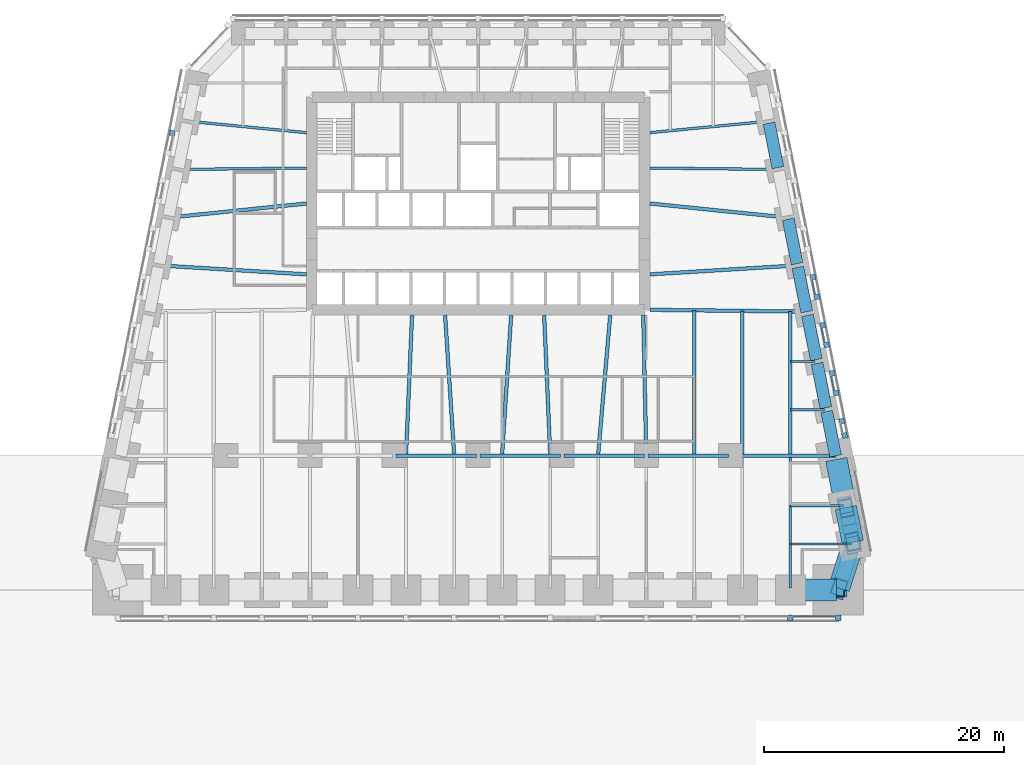
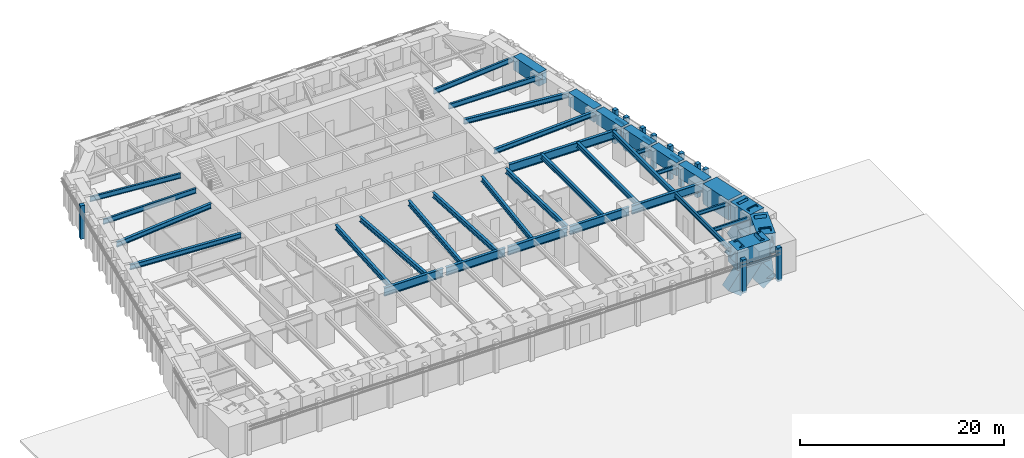
# One storey, part 3 of 18: 38 beams, 21 members, 6 elements without a shape of their own.
"""IFC4 building model written with IfcOpenShell, lengths in metres."""

import ifcopenshell
import ifcopenshell.guid

model = None  # the IFC model being written
_history = None  # IfcOwnerHistory: only IFC2X3 demands one
_inside = {}  # id of a spatial element -> (the spatial element, [elements in it])
_under = {}  # id of a project, library or spatial element -> (it, [spatial elements below it])
_declared = {}  # id of a project -> (the project, [libraries it declares])
_typed = {}  # id of a type object -> (the type object, [elements of that type])
_made_of = {}  # id of a material, layer set ... -> (it, [elements and type objects made of it])


def new_model(schema):
    """Start an empty IFC model of exactly this schema.

    Asked for "IFC4X3", IfcOpenShell would pick the latest addendum, in which some entities
    have other attributes; the version numbers below select the first issue.
    IFC2X3 requires an IfcOwnerHistory on every rooted entity: one is made here for all.
    """
    global model, _history
    if schema == "IFC4X3":
        model = ifcopenshell.file(schema_version=(4, 3, 0, 0))
    else:
        model = ifcopenshell.file(schema=schema)
    _inside.clear()
    _under.clear()
    _declared.clear()
    _typed.clear()
    _made_of.clear()
    _history = None
    if model.schema == "IFC2X3":
        org = make("IfcOrganization", Name="unknown")
        user = make(
            "IfcPersonAndOrganization",
            ThePerson=make("IfcPerson", FamilyName="unknown"),
            TheOrganization=org,
        )
        app = make(
            "IfcApplication",
            ApplicationDeveloper=org,
            Version="unknown",
            ApplicationFullName="unknown",
            ApplicationIdentifier="unknown",
        )
        _history = make(
            "IfcOwnerHistory",
            OwningUser=user,
            OwningApplication=app,
            ChangeAction="ADDED",
            CreationDate=0,
        )
    return model


def make(cls, **values):
    """One entity of the class cls with the attributes given. An attribute that is None is left unset."""
    return model.create_entity(
        cls, **{name: value for name, value in values.items() if value is not None}
    )


def rooted(cls, **values):
    """An entity with a GlobalId (a new one), such as an element, a storey or a relation."""
    return make(cls, GlobalId=ifcopenshell.guid.new(), OwnerHistory=_history, **values)


def si_unit(unit_type, name, prefix=None):
    """IfcSIUnit, for example si_unit("LENGTHUNIT", "METRE", prefix="MILLI")."""
    return make("IfcSIUnit", UnitType=unit_type, Prefix=prefix, Name=name)


def assignment(units):
    """IfcUnitAssignment: the units of a project."""
    return None if units is None else make("IfcUnitAssignment", Units=units)


def point(xyz):
    """IfcCartesianPoint."""
    return None if xyz is None else make("IfcCartesianPoint", Coordinates=xyz)


def direction(xyz):
    """IfcDirection."""
    return None if xyz is None else make("IfcDirection", DirectionRatios=xyz)


def frame(location, z_axis=None, x_axis=None):
    """IfcAxis2Placement3D, a coordinate frame: its origin and axes. An axis left out is left unset."""
    return make(
        "IfcAxis2Placement3D",
        Location=point(location),
        Axis=direction(z_axis),
        RefDirection=direction(x_axis),
    )


def frame_2d(location, x_axis=None):
    """IfcAxis2Placement2D, a coordinate frame in the plane: its origin and x axis."""
    return make(
        "IfcAxis2Placement2D", Location=point(location), RefDirection=direction(x_axis)
    )


def origin():
    """The frame at (0, 0, 0) with its axes left unset."""
    return frame((0.0, 0.0, 0.0))


def origin_2d():
    """The frame at (0, 0) in the plane with its x axis left unset."""
    return frame_2d((0.0, 0.0))


def place(relative_to, where):
    """IfcLocalPlacement: puts the frame where relative to a parent placement (None: the world)."""
    return make(
        "IfcLocalPlacement", PlacementRelTo=relative_to, RelativePlacement=where
    )


def context(
    kind, dimensions, precision=None, world=None, true_north=None, identifier=None
):
    """IfcGeometricRepresentationContext, for example the 3D "Model" context."""
    return make(
        "IfcGeometricRepresentationContext",
        ContextIdentifier=identifier,
        ContextType=kind,
        CoordinateSpaceDimension=dimensions,
        Precision=precision,
        WorldCoordinateSystem=world,
        TrueNorth=true_north,
    )


def subcontext(parent, identifier, kind, view, scale=None):
    """IfcGeometricRepresentationSubContext, for example "Body" below "Model"."""
    return make(
        "IfcGeometricRepresentationSubContext",
        ContextIdentifier=identifier,
        ContextType=kind,
        ParentContext=parent,
        TargetScale=scale,
        TargetView=view,
    )


def project(units=None, contexts=None):
    """IfcProject with its units and contexts."""
    return rooted(
        "IfcProject",
        Name="project",
        RepresentationContexts=contexts,
        UnitsInContext=assignment(units),
    )


def spatial(cls, under=None, at=None, **own):
    """A site, building, storey or space (cls), placed at a placement, below another one or the project."""
    s = rooted(cls, ObjectPlacement=at, **own)
    if under is not None:
        _under.setdefault(under.id(), (under, []))[1].append(s)
    return s


def profile(cls, at=None, kind="AREA", **sizes):
    """A parametric profile (cls). Its sizes go by their IFC names, for example OverallWidth=200.0."""
    return make(cls, ProfileType=kind, Position=at, **sizes)


def rectangle(**sizes):
    """IfcRectangleProfileDef."""
    return profile("IfcRectangleProfileDef", **sizes)


def hollow_rectangle(**sizes):
    """IfcRectangleHollowProfileDef."""
    return profile("IfcRectangleHollowProfileDef", **sizes)


def i_section(**sizes):
    """IfcIShapeProfileDef."""
    return profile("IfcIShapeProfileDef", **sizes)


def extrude(swept, where, along, depth):
    """IfcExtrudedAreaSolid: the profile swept, set in the frame where, extruded along a direction by depth."""
    return make(
        "IfcExtrudedAreaSolid",
        SweptArea=swept,
        Position=where,
        ExtrudedDirection=direction(along),
        Depth=depth,
    )


def shape(context_of_items, identifier, shape_type, items):
    """IfcShapeRepresentation: the items that make up one representation, for example the "Body"."""
    return make(
        "IfcShapeRepresentation",
        ContextOfItems=context_of_items,
        RepresentationIdentifier=identifier,
        RepresentationType=shape_type,
        Items=items,
    )


def material(Name=None, Category=None):
    """IfcMaterial."""
    return make("IfcMaterial", Name=Name, Category=Category)


def material_profile(
    of_material, cross_section, Name=None, Category=None, Priority=None
):
    """IfcMaterialProfile: a cross section and its material."""
    return make(
        "IfcMaterialProfile",
        Name=Name,
        Material=of_material,
        Profile=cross_section,
        Priority=Priority,
        Category=Category,
    )


def profile_set(profiles, Name=None, composite=None):
    """IfcMaterialProfileSet."""
    return make(
        "IfcMaterialProfileSet",
        Name=Name,
        MaterialProfiles=profiles,
        CompositeProfile=composite,
    )


def made_of(thing, what):
    """Note that an element or type object is made of a material, layer set ...; save() writes the relation."""
    if what is not None:
        _made_of.setdefault(what.id(), (what, []))[1].append(thing)
    return thing


def type_object(cls, material=None, **own):
    """A type object (cls), such as IfcWallType, which elements share."""
    return made_of(rooted(cls, **own), material)


def element(
    cls,
    number,
    at=None,
    inside=None,
    cuts=None,
    type_object=None,
    material=None,
    context=None,
    identifier="Body",
    shape_type=None,
    held_by="IfcProductDefinitionShape",
    body=None,
    shapes=None,
    **own,
):
    """One element of the class cls, such as IfcWall. Its Tag is "e" and its number.

    at: its placement. inside: the storey or other place that contains it. cuts: it is an
    opening in that element (IfcRelVoidsElement). A single representation is given by context,
    identifier, shape_type and body (its items); several are given by shapes. held_by: the class
    of the entity that holds the representations. save() writes the other relations.
    """
    e = rooted(cls, Tag="e%d" % number, ObjectPlacement=at, **own)
    if body is not None:
        shapes = [shape(context, identifier, shape_type, body)]
    if shapes is not None:
        e.Representation = make(held_by, Representations=shapes)
    if inside is not None:
        _inside.setdefault(inside.id(), (inside, []))[1].append(e)
    if cuts is not None:
        rooted(
            "IfcRelVoidsElement", RelatingBuildingElement=cuts, RelatedOpeningElement=e
        )
    if type_object is not None:
        _typed.setdefault(type_object.id(), (type_object, []))[1].append(e)
    return made_of(e, material)


def aggregate(whole, parts):
    """IfcRelAggregates: a whole, such as a stair, and the parts it consists of."""
    return rooted("IfcRelAggregates", RelatingObject=whole, RelatedObjects=parts)


def save(model, path):
    """Write the relations noted so far, then the file.

    IfcRelAggregates (storeys below a building ...), IfcRelContainedInSpatialStructure (elements
    in a storey), IfcRelDefinesByType, IfcRelAssociatesMaterial and IfcRelDeclares: one each for
    every whole, place, type object, material and project.
    """
    for whole, parts in _under.values():
        aggregate(whole, parts)
    for where, things in _inside.values():
        rooted(
            "IfcRelContainedInSpatialStructure",
            RelatedElements=things,
            RelatingStructure=where,
        )
    for kind, things in _typed.values():
        rooted("IfcRelDefinesByType", RelatedObjects=things, RelatingType=kind)
    for what, things in _made_of.values():
        rooted("IfcRelAssociatesMaterial", RelatedObjects=things, RelatingMaterial=what)
    for by, libraries in _declared.values():
        rooted("IfcRelDeclares", RelatingContext=by, RelatedDefinitions=libraries)
    model.write(path)


model = new_model("IFC4")

# Units and contexts
model_context = context("Model", 3, precision=1e-05, world=origin(), true_north=direction((0.0, 1.0)))
body_context = subcontext(model_context, "Body", "Model", "MODEL_VIEW")
ifc_project = project(units=[si_unit("LENGTHUNIT", "METRE"), si_unit("AREAUNIT", "SQUARE_METRE"), si_unit("VOLUMEUNIT", "CUBIC_METRE"), si_unit("PLANEANGLEUNIT", "RADIAN"), si_unit("MASSUNIT", "GRAM", prefix="KILO")], contexts=[model_context])

# Site, building, storey
site_placement = place(None, origin())
site = spatial("IfcSite", under=ifc_project, at=site_placement, CompositionType="ELEMENT")
building_placement = place(site_placement, origin())
building = spatial("IfcBuilding", under=site, at=building_placement, Name="Isbrekke Arena Tower", CompositionType="ELEMENT")
storey_placement = place(building_placement, frame((0.0, 0.0, 28.0)))
storey = spatial("IfcBuildingStorey", under=building, at=storey_placement, Name="L04", CompositionType="ELEMENT", Elevation=28.0)

# Beams
ifc_material_1 = material(Name="Steel S355", Category="steel")
ifc_material_profile_1 = material_profile(ifc_material_1, i_section(OverallWidth=0.219970703125, OverallDepth=0.60009765625, WebThickness=0.011962890625, FlangeThickness=0.01904296875, FilletRadius=0.02392578125, at=origin_2d()), Name="IPE 600")
ifc_profile_set_1 = profile_set([ifc_material_profile_1], Name="Steel S355")
beam_type_1 = type_object("IfcBeamType", Name="B1 IPE 600", PredefinedType="BEAM", material=ifc_profile_set_1)
beam_1_placement = place(storey_placement, frame((26.0, -17.02490234375, 3.550048828125), z_axis=(0.0, 1.0, 0.0), x_axis=(-1.0, 0.0, 0.0)))
element("IfcBeam", 1, at=beam_1_placement, inside=storey, type_object=beam_type_1, Name="B1 beam S-S15 L04", PredefinedType="BEAM", context=body_context, shape_type="SweptSolid", body=[
    extrude(i_section(OverallWidth=0.219970703125, OverallDepth=0.60009765625, WebThickness=0.011962890625, FlangeThickness=0.01904296875, FilletRadius=0.02392578125, at=origin_2d()), origin(), (0.0, 0.0, 1.0), 10.8740234375),
])
beam_2_placement = place(storey_placement, frame((24.83984375, 17.838134765625, 3.550048828125), z_axis=(-0.999943729589, 0.010608376645, 0.0), x_axis=(-0.010608376645, -0.999943729589, 0.0)))
element("IfcBeam", 2, at=beam_2_placement, inside=storey, type_object=beam_type_1, Name="B1 beam E-E09 L04", PredefinedType="BEAM", context=body_context, shape_type="SweptSolid", body=[
    extrude(i_section(OverallWidth=0.219970703125, OverallDepth=0.60009765625, WebThickness=0.011962890625, FlangeThickness=0.01904296875, FilletRadius=0.02392578125, at=origin_2d()), origin(), (0.0, 0.0, 1.0), 10.540283203125),
])
for number, where, z_axis, x_axis, name in (
    (3, (24.030517578125, 21.837158203125, 3.550048828125), (-0.995393091527, -0.095878012805, 0.0), (0.095878012805, -0.995393091527, 0.0), "B1 beam E-E10 L04"),
    (4, (-24.030517578125, 21.837158203125, 3.550048828125), (0.995393091527, -0.095878012805, 0.0), (0.095878012805, 0.995393091527, 0.0), "B1 beam E-W02 L04"),
):
    element("IfcBeam", number, at=place(storey_placement, frame(where, z_axis=z_axis, x_axis=x_axis)), inside=storey, type_object=beam_type_1, Name=name, PredefinedType="BEAM", context=body_context, shape_type="SweptSolid", body=[
        extrude(i_section(OverallWidth=0.219970703125, OverallDepth=0.60009765625, WebThickness=0.011962890625, FlangeThickness=0.01904296875, FilletRadius=0.02392578125, at=origin_2d()), origin(), (0.0, 0.0, 1.0), 9.775390625),
    ])
beam_3_placement = place(storey_placement, frame((-24.83984375, 17.838134765625, 3.550048828125), z_axis=(0.999943729589, 0.010608376645, 0.0), x_axis=(-0.010608376645, 0.999943729589, 0.0)))
element("IfcBeam", 5, at=beam_3_placement, inside=storey, type_object=beam_type_1, Name="B1 beam E-W03 L04", PredefinedType="BEAM", context=body_context, shape_type="SweptSolid", body=[
    extrude(i_section(OverallWidth=0.219970703125, OverallDepth=0.60009765625, WebThickness=0.011962890625, FlangeThickness=0.01904296875, FilletRadius=0.02392578125, at=origin_2d()), origin(), (0.0, 0.0, 1.0), 10.540283203125),
])
ifc_material_2 = material(Name="Steel S355", Category="steel")
ifc_material_profile_2 = material_profile(ifc_material_2, i_section(OverallWidth=0.18994140625, OverallDepth=0.449951171875, WebThickness=0.009521484375, FlangeThickness=0.0146484375, FilletRadius=0.02099609375, at=origin_2d()), Name="IPE 450")
ifc_profile_set_2 = profile_set([ifc_material_profile_2], Name="Steel S355")
beam_type_2 = type_object("IfcBeamType", Name="B2 IPE 450", PredefinedType="BEAM", material=ifc_profile_set_2)
beam_4_placement = place(storey_placement, frame((31.079345703125, -13.352783203125, 3.625), z_axis=(-1.0, 0.0, 0.0), x_axis=(0.0, -1.0, 0.0)))
element("IfcBeam", 6, at=beam_4_placement, inside=storey, type_object=beam_type_2, Name="B2 beam E-E01 L04", PredefinedType="BEAM", context=body_context, shape_type="SweptSolid", body=[
    extrude(i_section(OverallWidth=0.18994140625, OverallDepth=0.449951171875, WebThickness=0.009521484375, FlangeThickness=0.0146484375, FilletRadius=0.02099609375, at=origin_2d()), origin(), (0.0, 0.0, 1.0), 5.079345703125),
])
beam_5_placement = place(storey_placement, frame((30.44091796875, -10.161865234375, 3.625), z_axis=(-1.0, 0.0, 0.0), x_axis=(0.0, -1.0, 0.0)))
element("IfcBeam", 7, at=beam_5_placement, inside=storey, type_object=beam_type_2, Name="B2 beam E-E02 L04", PredefinedType="BEAM", context=body_context, shape_type="SweptSolid", body=[
    extrude(i_section(OverallWidth=0.18994140625, OverallDepth=0.449951171875, WebThickness=0.009521484375, FlangeThickness=0.0146484375, FilletRadius=0.02099609375, at=origin_2d()), origin(), (0.0, 0.0, 1.0), 4.44091796875),
])
beam_6_placement = place(storey_placement, frame((28.841064453125, -2.161865234375, 3.625), z_axis=(-1.0, 0.0, 0.0), x_axis=(0.0, -1.0, 0.0)))
element("IfcBeam", 8, at=beam_6_placement, inside=storey, type_object=beam_type_2, Name="B2 beam E-E04 L04", PredefinedType="BEAM", context=body_context, shape_type="SweptSolid", body=[
    extrude(i_section(OverallWidth=0.18994140625, OverallDepth=0.449951171875, WebThickness=0.009521484375, FlangeThickness=0.0146484375, FilletRadius=0.02099609375, at=origin_2d()), origin(), (0.0, 0.0, 1.0), 2.841064453125),
])
beam_7_placement = place(storey_placement, frame((28.041015625, 1.838134765625, 3.625), z_axis=(-1.0, 0.0, 0.0), x_axis=(0.0, -1.0, 0.0)))
element("IfcBeam", 9, at=beam_7_placement, inside=storey, type_object=beam_type_2, Name="B2 beam E-E05 L04", PredefinedType="BEAM", context=body_context, shape_type="SweptSolid", body=[
    extrude(i_section(OverallWidth=0.18994140625, OverallDepth=0.449951171875, WebThickness=0.009521484375, FlangeThickness=0.0146484375, FilletRadius=0.02099609375, at=origin_2d()), origin(), (0.0, 0.0, 1.0), 2.041015625),
])
ifc_material_3 = material(Name="Steel S355", Category="steel")
ifc_material_profile_3 = material_profile(ifc_material_3, i_section(OverallWidth=0.300048828125, OverallDepth=0.60009765625, WebThickness=0.015380859375, FlangeThickness=0.030029296875, FilletRadius=0.027099609375, at=origin_2d()), Name="HEB 600")
ifc_profile_set_3 = profile_set([ifc_material_profile_3], Name="Steel S355")
beam_type_3 = type_object("IfcBeamType", Name="B7 HEB 600", PredefinedType="BEAM", material=ifc_profile_set_3)
beam_8_placement = place(storey_placement, frame((-5.999755859375, -5.842529296875, 3.550048828125), z_axis=(0.04325656756, 0.99906399663, 0.0), x_axis=(-0.99906399663, 0.04325656756, 0.0)))
element("IfcBeam", 10, at=beam_8_placement, inside=storey, type_object=beam_type_3, Name="B7 beam C-M06 L04", PredefinedType="BEAM", context=body_context, shape_type="SweptSolid", body=[
    extrude(i_section(OverallWidth=0.300048828125, OverallDepth=0.60009765625, WebThickness=0.015380859375, FlangeThickness=0.030029296875, FilletRadius=0.027099609375, at=origin_2d()), origin(), (0.0, 0.0, 1.0), 11.55322265625),
])
for number, where, z_axis, x_axis, name in (
    (11, (-2.000732421875, -5.83935546875, 3.550048828125), (-0.064795318476, 0.997898575359, 0.0), (-0.997898575359, -0.064795318476, 0.0), "B7 beam C-M07 L04"),
    (12, (2.000732421875, -5.83935546875, 3.550048828125), (0.064795318476, 0.997898575359, 0.0), (-0.997898575359, 0.064795318476, 0.0), "B7 beam C-M08 L04"),
):
    element("IfcBeam", number, at=place(storey_placement, frame(where, z_axis=z_axis, x_axis=x_axis)), inside=storey, type_object=beam_type_3, Name=name, PredefinedType="BEAM", context=body_context, shape_type="SweptSolid", body=[
        extrude(i_section(OverallWidth=0.300048828125, OverallDepth=0.60009765625, WebThickness=0.015380859375, FlangeThickness=0.030029296875, FilletRadius=0.027099609375, at=origin_2d()), origin(), (0.0, 0.0, 1.0), 11.563720703125),
    ])
beam_9_placement = place(storey_placement, frame((5.999755859375, -5.842529296875, 3.550048828125), z_axis=(-0.04325656756, 0.99906399663, 0.0), x_axis=(-0.99906399663, -0.04325656756, 0.0)))
element("IfcBeam", 13, at=beam_9_placement, inside=storey, type_object=beam_type_3, Name="B7 beam C-M09 L04", PredefinedType="BEAM", context=body_context, shape_type="SweptSolid", body=[
    extrude(i_section(OverallWidth=0.300048828125, OverallDepth=0.60009765625, WebThickness=0.015380859375, FlangeThickness=0.030029296875, FilletRadius=0.027099609375, at=origin_2d()), origin(), (0.0, 0.0, 1.0), 11.55322265625),
])
beam_10_placement = place(storey_placement, frame((10.001220703125, -5.836181640625, 3.550048828125), z_axis=(0.086255671377, 0.996273034442, 0.0), x_axis=(-0.996273034442, 0.086255671377, 0.0)))
element("IfcBeam", 14, at=beam_10_placement, inside=storey, type_object=beam_type_3, Name="B7 beam C-M10 L04", PredefinedType="BEAM", context=body_context, shape_type="SweptSolid", body=[
    extrude(i_section(OverallWidth=0.300048828125, OverallDepth=0.60009765625, WebThickness=0.015380859375, FlangeThickness=0.030029296875, FilletRadius=0.027099609375, at=origin_2d()), origin(), (0.0, 0.0, 1.0), 11.579345703125),
])
beam_11_placement = place(storey_placement, frame((14.0, -5.8466796875, 3.550048828125), z_axis=(-0.021646264273, 0.999765692171, 0.0), x_axis=(-0.999765692171, -0.021646264273, 0.0)))
element("IfcBeam", 15, at=beam_11_placement, inside=storey, type_object=beam_type_3, Name="B7 beam C-M11 L04", PredefinedType="BEAM", context=body_context, shape_type="SweptSolid", body=[
    extrude(i_section(OverallWidth=0.300048828125, OverallDepth=0.60009765625, WebThickness=0.015380859375, FlangeThickness=0.030029296875, FilletRadius=0.027099609375, at=origin_2d()), origin(), (0.0, 0.0, 1.0), 11.54931640625),
])
beam_12_placement = place(storey_placement, frame((18.0, -5.84912109375, 3.550048828125), z_axis=(0.0, 1.0, 0.0), x_axis=(-1.0, 0.0, 0.0)))
element("IfcBeam", 16, at=beam_12_placement, inside=storey, type_object=beam_type_3, Name="B7 beam C-M12 L04", PredefinedType="BEAM", context=body_context, shape_type="SweptSolid", body=[
    extrude(i_section(OverallWidth=0.300048828125, OverallDepth=0.60009765625, WebThickness=0.015380859375, FlangeThickness=0.030029296875, FilletRadius=0.027099609375, at=origin_2d()), origin(), (0.0, 0.0, 1.0), 11.956787109375),
])
beam_13_placement = place(storey_placement, frame((22.0, -5.84912109375, 3.550048828125), z_axis=(0.0, 1.0, 0.0), x_axis=(-1.0, 0.0, 0.0)))
element("IfcBeam", 17, at=beam_13_placement, inside=storey, type_object=beam_type_3, Name="B7 beam C-M13 L04", PredefinedType="BEAM", context=body_context, shape_type="SweptSolid", body=[
    extrude(i_section(OverallWidth=0.300048828125, OverallDepth=0.60009765625, WebThickness=0.015380859375, FlangeThickness=0.030029296875, FilletRadius=0.027099609375, at=origin_2d()), origin(), (0.0, 0.0, 1.0), 11.910888671875),
])
beam_14_placement = place(storey_placement, frame((26.0, -5.84912109375, 3.550048828125), z_axis=(0.0, 1.0, 0.0), x_axis=(-1.0, 0.0, 0.0)))
element("IfcBeam", 18, at=beam_14_placement, inside=storey, type_object=beam_type_3, Name="B7 beam C-M14 L04", PredefinedType="BEAM", context=body_context, shape_type="SweptSolid", body=[
    extrude(i_section(OverallWidth=0.300048828125, OverallDepth=0.60009765625, WebThickness=0.015380859375, FlangeThickness=0.030029296875, FilletRadius=0.027099609375, at=origin_2d()), origin(), (0.0, 0.0, 1.0), 11.864990234375),
])
beam_15_placement = place(storey_placement, frame((26.431884765625, 9.837646484375, 3.550048828125), z_axis=(-0.998157121592, -0.060682457223, 0.0), x_axis=(0.060682457223, -0.998157121592, 0.0)))
element("IfcBeam", 19, at=beam_15_placement, inside=storey, type_object=beam_type_3, Name="B7 beam E-E07 L04", PredefinedType="BEAM", context=body_context, shape_type="SweptSolid", body=[
    extrude(i_section(OverallWidth=0.300048828125, OverallDepth=0.60009765625, WebThickness=0.015380859375, FlangeThickness=0.030029296875, FilletRadius=0.027099609375, at=origin_2d()), origin(), (0.0, 0.0, 1.0), 12.154296875),
])
for number, where, z_axis, x_axis, name in (
    (20, (25.625732421875, 13.83984375, 3.550048828125), (-0.994794378016, 0.101902627384, 0.0), (-0.101902627384, -0.994794378016, 0.0), "B7 beam E-E08 L04"),
    (21, (-25.625732421875, 13.83984375, 3.550048828125), (0.994794378016, 0.101902627384, 0.0), (-0.101902627384, 0.994794378016, 0.0), "B7 beam E-W04 L04"),
):
    element("IfcBeam", number, at=place(storey_placement, frame(where, z_axis=z_axis, x_axis=x_axis)), inside=storey, type_object=beam_type_3, Name=name, PredefinedType="BEAM", context=body_context, shape_type="SweptSolid", body=[
        extrude(i_section(OverallWidth=0.300048828125, OverallDepth=0.60009765625, WebThickness=0.015380859375, FlangeThickness=0.030029296875, FilletRadius=0.027099609375, at=origin_2d()), origin(), (0.0, 0.0, 1.0), 11.385009765625),
    ])
beam_16_placement = place(storey_placement, frame((-26.431884765625, 9.837646484375, 3.550048828125), z_axis=(0.998157121592, -0.060682457223, 0.0), x_axis=(0.060682457223, 0.998157121592, 0.0)))
element("IfcBeam", 22, at=beam_16_placement, inside=storey, type_object=beam_type_3, Name="B7 beam E-W05 L04", PredefinedType="BEAM", context=body_context, shape_type="SweptSolid", body=[
    extrude(i_section(OverallWidth=0.300048828125, OverallDepth=0.60009765625, WebThickness=0.015380859375, FlangeThickness=0.030029296875, FilletRadius=0.027099609375, at=origin_2d()), origin(), (0.0, 0.0, 1.0), 12.154296875),
])

# Curtain wall, members
ifc_material_4 = material(Name="Glazed aluminium curtain wall", Category="aluminium")
curtain_wall_type = type_object("IfcCurtainWallType", Name="CWL TOWER CURTAIN WALL LOW ZONE", PredefinedType="USERDEFINED", material=ifc_material_4)
curtain_wall_1_placement = place(storey_placement, origin())
curtain_wall_1 = element("IfcCurtainWall", 23, at=curtain_wall_1_placement, inside=storey, type_object=curtain_wall_type, Name="CWL curtain wall L04-S2", ObjectType="TOWER CURTAIN WALL LOW ZONE", PredefinedType="USERDEFINED")
ifc_material_5 = material(Name="Aluminium mullion, pale brick slip cladding", Category="masonry")
ifc_material_profile_4 = material_profile(ifc_material_5, rectangle(XDim=0.449951171875, YDim=0.449951171875, at=origin_2d()), Name="PIER 450X450")
ifc_profile_set_4 = profile_set([ifc_material_profile_4], Name="Aluminium mullion, pale brick slip cladding")
member_type_1 = type_object("IfcMemberType", Name="CWL-M PIER MULLION 450 x 450", PredefinedType="MULLION", material=ifc_profile_set_4)
member_1_placement = place(storey_placement, frame((26.0, -19.5, 0.0), z_axis=(0.0, 0.0, 1.0), x_axis=(1.0, 0.0, 0.0)))
member_1 = element("IfcMember", 24, at=member_1_placement, type_object=member_type_1, Name="CWL-M mullion 5", PredefinedType="MULLION", context=body_context, shape_type="SweptSolid", body=[
    extrude(rectangle(XDim=0.449951171875, YDim=0.449951171875, at=origin_2d()), origin(), (0.0, 0.0, 1.0), 4.0),
])
member_2_placement = place(storey_placement, frame((30.0, -19.5, 0.0), z_axis=(0.0, 0.0, 1.0), x_axis=(1.0, 0.0, 0.0)))
member_2 = element("IfcMember", 25, at=member_2_placement, type_object=member_type_1, Name="CWL-M mullion 6", PredefinedType="MULLION", context=body_context, shape_type="SweptSolid", body=[
    extrude(rectangle(XDim=0.449951171875, YDim=0.449951171875, at=origin_2d()), origin(), (0.0, 0.0, 1.0), 4.0),
])

curtain_wall_2_placement = place(storey_placement, origin())
curtain_wall_2 = element("IfcCurtainWall", 26, at=curtain_wall_2_placement, inside=storey, type_object=curtain_wall_type, Name="CWL curtain wall L04-E2", ObjectType="TOWER CURTAIN WALL LOW ZONE", PredefinedType="USERDEFINED")
member_3_placement = place(storey_placement, frame((30.51708984375, -4.310546875, 0.0), z_axis=(0.0, 0.0, 1.0), x_axis=(-0.196116135138, 0.980580675691, 0.0)))
member_3 = element("IfcMember", 27, at=member_3_placement, type_object=member_type_1, Name="CWL-M mullion 1", PredefinedType="MULLION", context=body_context, shape_type="SweptSolid", body=[
    extrude(rectangle(XDim=0.449951171875, YDim=0.449951171875, at=origin_2d()), origin(), (0.0, 0.0, 1.0), 4.0),
])
member_4_placement = place(storey_placement, frame((30.280517578125, -3.127685546875, 0.0), z_axis=(0.0, 0.0, 1.0), x_axis=(-0.196116135138, 0.980580675691, 0.0)))
member_4 = element("IfcMember", 28, at=member_4_placement, type_object=member_type_1, Name="CWL-M mullion 2", PredefinedType="MULLION", context=body_context, shape_type="SweptSolid", body=[
    extrude(rectangle(XDim=0.449951171875, YDim=0.449951171875, at=origin_2d()), origin(), (0.0, 0.0, 1.0), 4.0),
])
aggregate(curtain_wall_2, [member_3, member_4])

curtain_wall_3_placement = place(storey_placement, origin())
curtain_wall_3 = element("IfcCurtainWall", 29, at=curtain_wall_3_placement, inside=storey, type_object=curtain_wall_type, Name="CWL curtain wall L04-E23", ObjectType="TOWER CURTAIN WALL LOW ZONE", PredefinedType="USERDEFINED")
member_5_placement = place(storey_placement, frame((29.809814453125, -0.774169921875, 0.0), z_axis=(0.0, 0.0, 1.0), x_axis=(-0.196116135138, 0.980580675691, 0.0)))
member_5 = element("IfcMember", 30, at=member_5_placement, type_object=member_type_1, Name="CWL-M mullion 1", PredefinedType="MULLION", context=body_context, shape_type="SweptSolid", body=[
    extrude(rectangle(XDim=0.449951171875, YDim=0.449951171875, at=origin_2d()), origin(), (0.0, 0.0, 1.0), 4.0),
])
member_6_placement = place(storey_placement, frame((29.48046875, 0.872314453125, 0.0), z_axis=(0.0, 0.0, 1.0), x_axis=(-0.196116135138, 0.980580675691, 0.0)))
member_6 = element("IfcMember", 31, at=member_6_placement, type_object=member_type_1, Name="CWL-M mullion 2", PredefinedType="MULLION", context=body_context, shape_type="SweptSolid", body=[
    extrude(rectangle(XDim=0.449951171875, YDim=0.449951171875, at=origin_2d()), origin(), (0.0, 0.0, 1.0), 4.0),
])

curtain_wall_4_placement = place(storey_placement, origin())
curtain_wall_4 = element("IfcCurtainWall", 32, at=curtain_wall_4_placement, inside=storey, type_object=curtain_wall_type, Name="CWL curtain wall L04-E25", ObjectType="TOWER CURTAIN WALL LOW ZONE", PredefinedType="USERDEFINED")
member_7_placement = place(storey_placement, frame((29.009765625, 3.225830078125, 0.0), z_axis=(0.0, 0.0, 1.0), x_axis=(-0.196116135138, 0.980580675691, 0.0)))
member_7 = element("IfcMember", 33, at=member_7_placement, type_object=member_type_1, Name="CWL-M mullion 1", PredefinedType="MULLION", context=body_context, shape_type="SweptSolid", body=[
    extrude(rectangle(XDim=0.449951171875, YDim=0.449951171875, at=origin_2d()), origin(), (0.0, 0.0, 1.0), 4.0),
])
member_8_placement = place(storey_placement, frame((28.680419921875, 4.872314453125, 0.0), z_axis=(0.0, 0.0, 1.0), x_axis=(-0.196116135138, 0.980580675691, 0.0)))
member_8 = element("IfcMember", 34, at=member_8_placement, type_object=member_type_1, Name="CWL-M mullion 2", PredefinedType="MULLION", context=body_context, shape_type="SweptSolid", body=[
    extrude(rectangle(XDim=0.449951171875, YDim=0.449951171875, at=origin_2d()), origin(), (0.0, 0.0, 1.0), 4.0),
])

curtain_wall_5_placement = place(storey_placement, origin())
curtain_wall_5 = element("IfcCurtainWall", 35, at=curtain_wall_5_placement, inside=storey, type_object=curtain_wall_type, Name="CWL curtain wall L04-E27", ObjectType="TOWER CURTAIN WALL LOW ZONE", PredefinedType="USERDEFINED")
member_9_placement = place(storey_placement, frame((28.209716796875, 7.225830078125, 0.0), z_axis=(0.0, 0.0, 1.0), x_axis=(-0.196116135138, 0.980580675691, 0.0)))
member_9 = element("IfcMember", 36, at=member_9_placement, type_object=member_type_1, Name="CWL-M mullion 1", PredefinedType="MULLION", context=body_context, shape_type="SweptSolid", body=[
    extrude(rectangle(XDim=0.449951171875, YDim=0.449951171875, at=origin_2d()), origin(), (0.0, 0.0, 1.0), 4.0),
])
member_10_placement = place(storey_placement, frame((27.88037109375, 8.872314453125, 0.0), z_axis=(0.0, 0.0, 1.0), x_axis=(-0.196116135138, 0.980580675691, 0.0)))
member_10 = element("IfcMember", 37, at=member_10_placement, type_object=member_type_1, Name="CWL-M mullion 2", PredefinedType="MULLION", context=body_context, shape_type="SweptSolid", body=[
    extrude(rectangle(XDim=0.449951171875, YDim=0.449951171875, at=origin_2d()), origin(), (0.0, 0.0, 1.0), 4.0),
])

# Curtain wall, member
curtain_wall_6_placement = place(storey_placement, origin())
curtain_wall_6 = element("IfcCurtainWall", 38, at=curtain_wall_6_placement, inside=storey, type_object=curtain_wall_type, Name="CWL curtain wall L04-W3", ObjectType="TOWER CURTAIN WALL LOW ZONE", PredefinedType="USERDEFINED")
member_11_placement = place(storey_placement, frame((-25.48046875, 20.872314453125, 0.0), z_axis=(0.0, 0.0, 1.0), x_axis=(-0.196116135138, -0.980580675691, 0.0)))
member_11 = element("IfcMember", 39, at=member_11_placement, type_object=member_type_1, Name="CWL-M mullion 1", PredefinedType="MULLION", context=body_context, shape_type="SweptSolid", body=[
    extrude(rectangle(XDim=0.449951171875, YDim=0.449951171875, at=origin_2d()), origin(), (0.0, 0.0, 1.0), 4.0),
])
aggregate(curtain_wall_6, [member_11])

# Member
ifc_material_6 = material(Name="Aluminium transom", Category="aluminium")
ifc_material_profile_5 = material_profile(ifc_material_6, rectangle(XDim=0.1201171875, YDim=0.199951171875, at=origin_2d()), Name="TRANSOM 120X200")
ifc_profile_set_5 = profile_set([ifc_material_profile_5], Name="Aluminium transom")
member_type_2 = type_object("IfcMemberType", Name="CWL-T TRANSOM 120 x 200", PredefinedType="USERDEFINED", material=ifc_profile_set_5)
member_12_placement = place(storey_placement, frame((26.22509765625, -19.375, 3.0), z_axis=(1.0, 0.0, 0.0), x_axis=(0.0, 1.0, 0.0)))
member_12 = element("IfcMember", 40, at=member_12_placement, type_object=member_type_2, Name="CWL-T transom 5", ObjectType="TRANSOM", PredefinedType="USERDEFINED", context=body_context, shape_type="SweptSolid", body=[
    extrude(rectangle(XDim=0.1201171875, YDim=0.199951171875, at=origin_2d()), origin(), (0.0, 0.0, 1.0), 3.5498046875),
])

aggregate(curtain_wall_1, [member_1, member_2, member_12])

member_13_placement = place(storey_placement, frame((29.64306640625, -0.578125, 3.0), z_axis=(-0.196039741533, 0.980595951317, 0.0), x_axis=(-0.980595951317, -0.196039741533, 0.0)))
member_13 = element("IfcMember", 41, at=member_13_placement, type_object=member_type_2, Name="CWL-T transom 1", ObjectType="TRANSOM", PredefinedType="USERDEFINED", context=body_context, shape_type="SweptSolid", body=[
    extrude(rectangle(XDim=0.1201171875, YDim=0.199951171875, at=origin_2d()), origin(), (0.0, 0.0, 1.0), 1.229248046875),
])

aggregate(curtain_wall_3, [member_5, member_6, member_13])

member_14_placement = place(storey_placement, frame((28.843017578125, 3.421875, 3.0), z_axis=(-0.196039741533, 0.980595951317, 0.0), x_axis=(-0.980595951317, -0.196039741533, 0.0)))
member_14 = element("IfcMember", 42, at=member_14_placement, type_object=member_type_2, Name="CWL-T transom 1", ObjectType="TRANSOM", PredefinedType="USERDEFINED", context=body_context, shape_type="SweptSolid", body=[
    extrude(rectangle(XDim=0.1201171875, YDim=0.199951171875, at=origin_2d()), origin(), (0.0, 0.0, 1.0), 1.229248046875),
])

aggregate(curtain_wall_4, [member_7, member_8, member_14])

member_15_placement = place(storey_placement, frame((28.043212890625, 7.421875, 3.0), z_axis=(-0.19623071885, 0.980557751986, 0.0), x_axis=(-0.980557751986, -0.19623071885, 0.0)))
member_15 = element("IfcMember", 43, at=member_15_placement, type_object=member_type_2, Name="CWL-T transom 1", ObjectType="TRANSOM", PredefinedType="USERDEFINED", context=body_context, shape_type="SweptSolid", body=[
    extrude(rectangle(XDim=0.1201171875, YDim=0.199951171875, at=origin_2d()), origin(), (0.0, 0.0, 1.0), 1.229248046875),
])

aggregate(curtain_wall_5, [member_9, member_10, member_15])

# Beams
ifc_material_7 = material(Name="Steel S355", Category="steel")
ifc_material_profile_6 = material_profile(ifc_material_7, i_section(OverallWidth=0.302001953125, OverallDepth=1.008056640625, WebThickness=0.02099609375, FlangeThickness=0.0400390625, FilletRadius=0.030029296875, at=origin_2d()), Name="HEM 1000")
ifc_profile_set_6 = profile_set([ifc_material_profile_6], Name="Steel S355")
beam_type_4 = type_object("IfcBeamType", Name="G1 HEM 1000", PredefinedType="BEAM", material=ifc_profile_set_6)
for number, where, z_axis, x_axis, name in (
    (44, (-6.85009765625, -6.0, 3.345947265625), (1.0, 0.0, 0.0), (0.0, 1.0, 0.0), "G1 beam G1-04 L04"),
    (45, (0.14990234375, -6.0, 3.345947265625), (1.0, 0.0, 0.0), (0.0, 1.0, 0.0), "G1 beam G1-05 L04"),
    (46, (7.14990234375, -6.0, 3.345947265625), (1.0, 0.0, 0.0), (0.0, 1.0, 0.0), "G1 beam G1-06 L04"),
    (47, (14.14990234375, -6.0, 3.345947265625), (1.0, 0.0, 0.0), (0.0, 1.0, 0.0), "G1 beam G1-07 L04"),
):
    element("IfcBeam", number, at=place(storey_placement, frame(where, z_axis=z_axis, x_axis=x_axis)), inside=storey, type_object=beam_type_4, Name=name, PredefinedType="BEAM", context=body_context, shape_type="SweptSolid", body=[
        extrude(i_section(OverallWidth=0.302001953125, OverallDepth=1.008056640625, WebThickness=0.02099609375, FlangeThickness=0.0400390625, FilletRadius=0.030029296875, at=origin_2d()), origin(), (0.0, 0.0, 1.0), 6.7001953125),
    ])
beam_17_placement = place(storey_placement, frame((21.14990234375, -6.0, 3.345947265625), z_axis=(1.0, 0.0, 0.0), x_axis=(0.0, 1.0, 0.0)))
element("IfcBeam", 48, at=beam_17_placement, inside=storey, type_object=beam_type_4, Name="G1 beam G1-08 L04", PredefinedType="BEAM", context=body_context, shape_type="SweptSolid", body=[
    extrude(i_section(OverallWidth=0.302001953125, OverallDepth=1.008056640625, WebThickness=0.02099609375, FlangeThickness=0.0400390625, FilletRadius=0.030029296875, at=origin_2d()), origin(), (0.0, 0.0, 1.0), 8.64111328125),
])
ifc_material_8 = material(Name="Steel S355", Category="steel")
ifc_material_profile_7 = material_profile(ifc_material_8, i_section(OverallWidth=0.302001953125, OverallDepth=1.008056640625, WebThickness=0.02099609375, FlangeThickness=0.0400390625, FilletRadius=0.030029296875, at=origin_2d()), Name="HEM 1000")
ifc_profile_set_7 = profile_set([ifc_material_profile_7], Name="Steel S355")
beam_type_5 = type_object("IfcBeamType", Name="G2 HEM 1000", PredefinedType="BEAM", material=ifc_profile_set_7)
beam_18_placement = place(storey_placement, frame((14.300048828125, 6.14990234375, 3.345947265625), z_axis=(0.999934429634, -0.011451481699, 0.0), x_axis=(0.011451481699, 0.999934429634, 0.0)))
element("IfcBeam", 49, at=beam_18_placement, inside=storey, type_object=beam_type_5, Name="G2 beam G2-E L04", PredefinedType="BEAM", context=body_context, shape_type="SweptSolid", body=[
    extrude(i_section(OverallWidth=0.302001953125, OverallDepth=1.008056640625, WebThickness=0.02099609375, FlangeThickness=0.0400390625, FilletRadius=0.030029296875, at=origin_2d()), origin(), (0.0, 0.0, 1.0), 13.09033203125),
])
ifc_material_9 = material(Name="Concrete B90 (C90/105)", Category="concrete")
ifc_material_profile_8 = material_profile(ifc_material_9, rectangle(XDim=1.0, YDim=1.60009765625, at=origin_2d()), Name="RC 1000x1600")
ifc_profile_set_8 = profile_set([ifc_material_profile_8], Name="Concrete B90 (C90/105)")
beam_type_6 = type_object("IfcBeamType", Name="SB1 RC 1000 x 1600", PredefinedType="SPANDREL", material=ifc_profile_set_8)
for number, where, z_axis, x_axis, name in (
    (50, (29.76171875, -6.0146484375, 3.199951171875), (-0.196128558387, 0.980578190959, 0.0), (-0.980578190959, -0.196128558387, 0.0), "SB1 spandrel E03-E04 L04"),
    (51, (28.961669921875, -2.0146484375, 3.199951171875), (-0.196128558387, 0.980578190959, 0.0), (-0.980578190959, -0.196128558387, 0.0), "SB1 spandrel E04-E05 L04"),
    (52, (28.16162109375, 1.9853515625, 3.199951171875), (-0.196128558387, 0.980578190959, 0.0), (-0.980578190959, -0.196128558387, 0.0), "SB1 spandrel E05-E06 L04"),
    (53, (27.361572265625, 5.9853515625, 3.199951171875), (-0.196128558387, 0.980578190959, 0.0), (-0.980578190959, -0.196128558387, 0.0), "SB1 spandrel E06-E07 L04"),
):
    element("IfcBeam", number, at=place(storey_placement, frame(where, z_axis=z_axis, x_axis=x_axis)), inside=storey, type_object=beam_type_6, Name=name, PredefinedType="SPANDREL", context=body_context, shape_type="SweptSolid", body=[
        extrude(rectangle(XDim=1.0, YDim=1.60009765625, at=origin_2d()), origin(), (0.0, 0.0, 1.0), 3.779296875),
    ])
beam_19_placement = place(storey_placement, frame((26.5615234375, 9.9853515625, 3.199951171875), z_axis=(-0.1960664412, 0.980590613169, 0.0), x_axis=(-0.980590613169, -0.1960664412, 0.0)))
element("IfcBeam", 54, at=beam_19_placement, inside=storey, type_object=beam_type_6, Name="SB1 spandrel E07-E08 L04", PredefinedType="SPANDREL", context=body_context, shape_type="SweptSolid", body=[
    extrude(rectangle(XDim=1.0, YDim=1.60009765625, at=origin_2d()), origin(), (0.0, 0.0, 1.0), 3.779052734375),
])
beam_20_placement = place(storey_placement, frame((24.961669921875, 17.9853515625, 3.199951171875), z_axis=(-0.196128558387, 0.980578190959, 0.0), x_axis=(-0.980578190959, -0.196128558387, 0.0)))
element("IfcBeam", 55, at=beam_20_placement, inside=storey, type_object=beam_type_6, Name="SB1 spandrel E09-E10 L04", PredefinedType="SPANDREL", context=body_context, shape_type="SweptSolid", body=[
    extrude(rectangle(XDim=1.0, YDim=1.60009765625, at=origin_2d()), origin(), (0.0, 0.0, 1.0), 3.779296875),
])
ifc_material_10 = material(Name="Concrete B90 (C90/105)", Category="concrete")
ifc_material_profile_9 = material_profile(ifc_material_10, rectangle(XDim=1.800048828125, YDim=2.39990234375, at=origin_2d()), Name="RC 1800x2400")
ifc_profile_set_9 = profile_set([ifc_material_profile_9], Name="Concrete B90 (C90/105)")
beam_type_7 = type_object("IfcBeamType", Name="SB8 RC 1800 x 2400", PredefinedType="SPANDREL", material=ifc_profile_set_9)
beam_21_placement = place(storey_placement, frame((26.14990234375, -17.175048828125, 2.800048828125), z_axis=(1.0, 0.0, 0.0), x_axis=(0.0, 1.0, 0.0)))
element("IfcBeam", 56, at=beam_21_placement, inside=storey, type_object=beam_type_7, Name="SB8 spandrel S15-S16 L04", PredefinedType="SPANDREL", context=body_context, shape_type="SweptSolid", body=[
    extrude(rectangle(XDim=1.800048828125, YDim=2.39990234375, at=origin_2d()), origin(), (0.0, 0.0, 1.0), 3.7001953125),
])
beam_22_placement = place(storey_placement, frame((30.0458984375, -17.0322265625, 2.800048828125), z_axis=(0.306175101476, 0.951975213562, 0.0), x_axis=(-0.951975213562, 0.306175101476, 0.0)))
element("IfcBeam", 57, at=beam_22_placement, inside=storey, type_object=beam_type_7, Name="SB8 spandrel S16-E01 L04", PredefinedType="SPANDREL", context=body_context, shape_type="SweptSolid", body=[
    extrude(rectangle(XDim=1.800048828125, YDim=2.39990234375, at=origin_2d()), origin(), (0.0, 0.0, 1.0), 3.715087890625),
])
beam_23_placement = place(storey_placement, frame((31.19970703125, -13.205810546875, 2.800048828125), z_axis=(-0.196100243168, 0.980583853951, 0.0), x_axis=(-0.980583853951, -0.196100243168, 0.0)))
element("IfcBeam", 58, at=beam_23_placement, inside=storey, type_object=beam_type_7, Name="SB8 spandrel E01-E02 L04", PredefinedType="SPANDREL", context=body_context, shape_type="SweptSolid", body=[
    extrude(rectangle(XDim=1.800048828125, YDim=2.39990234375, at=origin_2d()), origin(), (0.0, 0.0, 1.0), 2.954345703125),
])
beam_24_placement = place(storey_placement, frame((30.5615234375, -10.0146484375, 2.800048828125), z_axis=(-0.1960664412, 0.980590613169, 0.0), x_axis=(-0.980590613169, -0.1960664412, 0.0)))
element("IfcBeam", 59, at=beam_24_placement, inside=storey, type_object=beam_type_7, Name="SB8 spandrel E02-E03 L04", PredefinedType="SPANDREL", context=body_context, shape_type="SweptSolid", body=[
    extrude(rectangle(XDim=1.800048828125, YDim=2.39990234375, at=origin_2d()), origin(), (0.0, 0.0, 1.0), 3.779052734375),
])

# Members
ifc_material_11 = material(Name="Steel S460", Category="steel")
ifc_material_profile_10 = material_profile(ifc_material_11, hollow_rectangle(XDim=1.199951171875, YDim=1.800048828125, WallThickness=0.090087890625, at=origin_2d()), Name="BOX 1200x1800x90")
ifc_profile_set_10 = profile_set([ifc_material_profile_10], Name="Steel S460")
member_type_3 = type_object("IfcMemberType", Name="TB1 BOX 1200x1800x90", PredefinedType="BRACE", material=ifc_profile_set_10)
for number, where, z_axis, x_axis, name in (
    (60, (26.0, -17.175048828125, -1.25), (0.6060302746, 0.0, 0.795441579419), (0.0, 1.0, 0.0), "TB1 transfer brace S15-S16 L04 A"),
    (61, (26.210693359375, -17.175048828125, 3.7236328125), (0.6060302746, 0.0, -0.795441579419), (0.0, 1.0, 0.0), "TB1 transfer brace S15-S16 L04 B"),
):
    element("IfcMember", number, at=place(storey_placement, frame(where, z_axis=z_axis, x_axis=x_axis)), inside=storey, type_object=member_type_3, Name=name, PredefinedType="BRACE", context=body_context, shape_type="SweptSolid", body=[
        extrude(hollow_rectangle(XDim=1.199951171875, YDim=1.800048828125, WallThickness=0.090087890625, at=origin_2d()), origin(), (0.0, 0.0, 1.0), 6.252685546875),
    ])
member_16_placement = place(storey_placement, frame((30.0, -17.175048828125, -1.25), z_axis=(0.185999923521, 0.578311227314, 0.794330002463), x_axis=(-0.951973793165, 0.30617951781, 0.0)))
element("IfcMember", 62, at=member_16_placement, inside=storey, type_object=member_type_3, Name="TB1 transfer brace S16-E01 L04 A", PredefinedType="BRACE", context=body_context, shape_type="SweptSolid", body=[
    extrude(hollow_rectangle(XDim=1.199951171875, YDim=1.800048828125, WallThickness=0.090087890625, at=origin_2d()), origin(), (0.0, 0.0, 1.0), 6.262451171875),
])
member_17_placement = place(storey_placement, frame((30.0654296875, -16.971435546875, 3.74169921875), z_axis=(0.195238241539, 0.607052908768, -0.770304352186), x_axis=(-0.951976423156, 0.30617134052, 0.0)))
element("IfcMember", 63, at=member_17_placement, inside=storey, type_object=member_type_3, Name="TB1 transfer brace S16-E01 L04 B", PredefinedType="BRACE", context=body_context, shape_type="SweptSolid", body=[
    extrude(hollow_rectangle(XDim=1.199951171875, YDim=1.800048828125, WallThickness=0.090087890625, at=origin_2d()), origin(), (0.0, 0.0, 1.0), 5.9609375),
])
for number, where, z_axis, x_axis, name in (
    (64, (31.229248046875, -13.352783203125, -0.85009765625), (-0.109277530406, 0.546343030742, 0.830402139995), (-0.980577595325, -0.19613153634, 0.0), "TB1 transfer brace E01-E02 L04 A"),
    (65, (31.18896484375, -13.151123046875, 3.693359375), (-0.109277530406, 0.546343030742, -0.830402139995), (-0.980577595325, -0.19613153634, 0.0), "TB1 transfer brace E01-E02 L04 B"),
):
    element("IfcMember", number, at=place(storey_placement, frame(where, z_axis=z_axis, x_axis=x_axis)), inside=storey, type_object=member_type_3, Name=name, PredefinedType="BRACE", context=body_context, shape_type="SweptSolid", body=[
        extrude(hollow_rectangle(XDim=1.199951171875, YDim=1.800048828125, WallThickness=0.090087890625, at=origin_2d()), origin(), (0.0, 0.0, 1.0), 5.471435546875),
    ])

save(model, "model.ifc")
